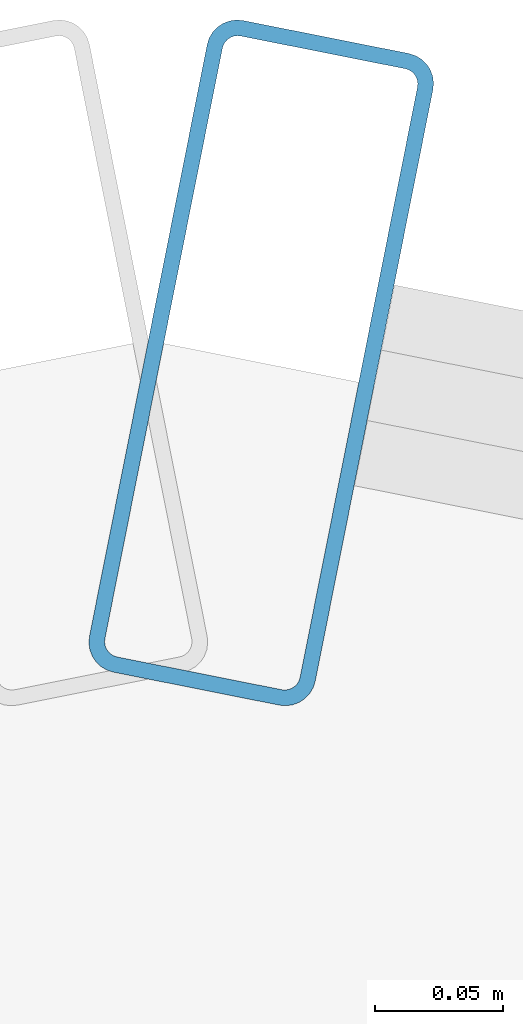
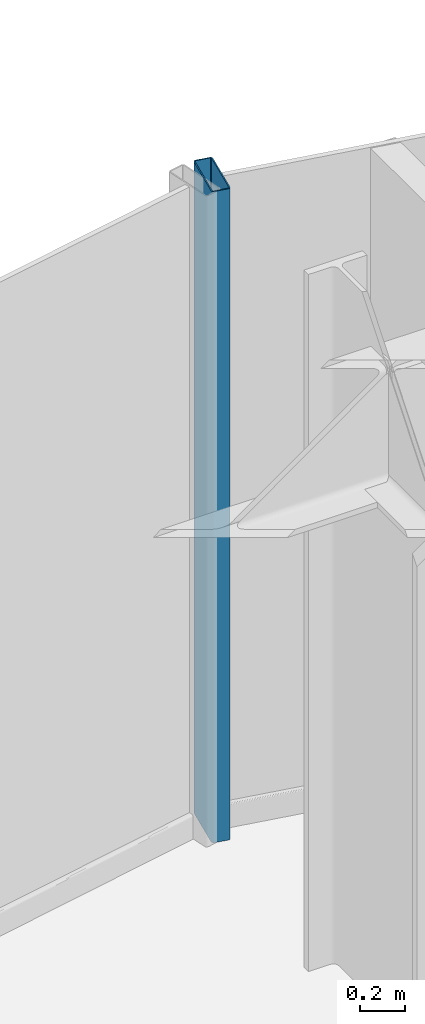
# One storey, part 15 of 26: 1 member, 1 element without a shape of its own.
"""IFC4 building model written with IfcOpenShell, lengths in metres."""

from ifc_helpers import new_model, si_unit, direction, frame, origin, origin_2d, place, context, subcontext, project, spatial, hollow_rectangle, extrude, source, transform, mapped, material, layer, layer_set, material_profile, profile_set, type_object, element, aggregate, save


model = new_model("IFC4")

# Units and contexts
model_context = context("Model", 3, precision=1e-05, world=origin(), true_north=direction((0.0, 1.0)))
body_context = subcontext(model_context, "Body", "Model", "MODEL_VIEW")
ifc_project = project(units=[si_unit("LENGTHUNIT", "METRE"), si_unit("AREAUNIT", "SQUARE_METRE"), si_unit("VOLUMEUNIT", "CUBIC_METRE"), si_unit("PLANEANGLEUNIT", "RADIAN"), si_unit("MASSUNIT", "GRAM", prefix="KILO")], contexts=[model_context])

# Site, building, storey
site_placement = place(None, origin())
site = spatial("IfcSite", under=ifc_project, at=site_placement, CompositionType="ELEMENT")
building_placement = place(site_placement, origin())
building = spatial("IfcBuilding", under=site, at=building_placement, Name="Nefas-Gora Pilgrimage Tower", CompositionType="ELEMENT")
storey_placement = place(building_placement, frame((0.0, 0.0, 128.800048828125)))
storey = spatial("IfcBuildingStorey", under=building, at=storey_placement, Name="L31", CompositionType="ELEMENT", Elevation=128.800048828125)

# Curtain wall, member
ifc_material_1 = material(Name="Dark ceramic-fritted solar-control aluminium-glass curtain wall", Category="aluminium")
ifc_layer = layer(ifc_material_1, 0.219970703125)
ifc_layer_set = layer_set([ifc_layer], Name="Dark ceramic-fritted solar-control aluminium-glass curtain wall")
curtain_wall_type = type_object("IfcCurtainWallType", Name="CW-SYS-5", PredefinedType="NOTDEFINED", material=ifc_layer_set)
curtain_wall_placement = place(storey_placement, origin())
curtain_wall = element("IfcCurtainWall", 1, at=curtain_wall_placement, inside=storey, type_object=curtain_wall_type, Name="L31 Unitised Curtain Wall CW5", PredefinedType="NOTDEFINED")
ifc_material_2 = material(Name="Anodised architectural aluminium", Category="aluminium")
ifc_material_profile = material_profile(ifc_material_2, hollow_rectangle(XDim=0.090087890625, YDim=0.260009765625, WallThickness=0.006103515625, InnerFilletRadius=0.006103515625, OuterFilletRadius=0.011962890625, at=origin_2d()), Name="ALU MULLION 90x260")
ifc_profile_set = profile_set([ifc_material_profile], Name="Anodised architectural aluminium")
member_type = type_object("IfcMemberType", Name="CWM-MUL-5", PredefinedType="MULLION", material=ifc_profile_set)
shared_shape = source(origin(), body_context, "Body", "SweptSolid", [
    extrude(hollow_rectangle(XDim=0.090087890625, YDim=0.260009765625, WallThickness=0.006103515625, InnerFilletRadius=0.006103515625, OuterFilletRadius=0.011962890625, at=origin_2d()), origin(), (0.0, 0.0, 1.0), 3.550048828125),
])
member_placement = place(storey_placement, frame((-2.205810546875, 24.16357421875, 0.0), z_axis=(0.0, 0.0, 1.0), x_axis=(-0.980782896852, 0.195102304554, 0.0)))
member = element("IfcMember", 2, at=member_placement, type_object=member_type, Name="CW5 Mullion 2", PredefinedType="MULLION", context=body_context, shape_type="MappedRepresentation", body=[
    mapped(shared_shape, transform((0.0, 0.0, 0.0), x_axis=(1.0, 0.0, 0.0), y_axis=(0.0, 1.0, 0.0), z_axis=(0.0, 0.0, 1.0), scale=1.0)),
])
aggregate(curtain_wall, [member])

save(model, "model.ifc")
